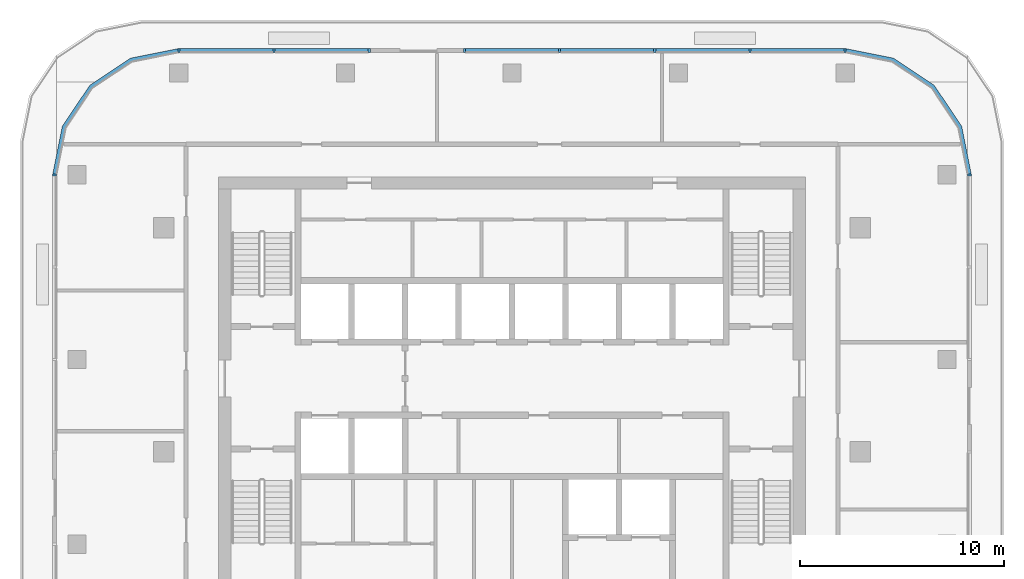
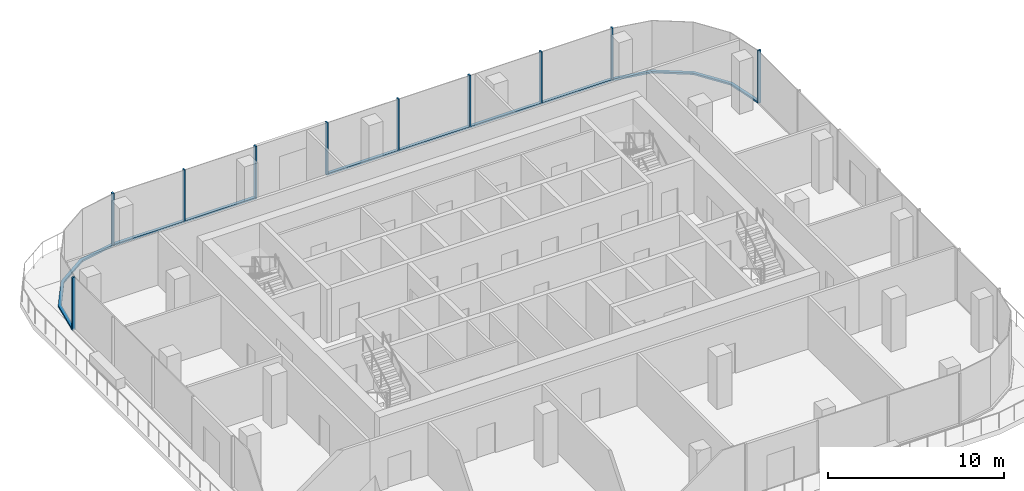
# One storey, part 4 of 12: 18 members, 6 elements without a shape of their own.
"""IFC4 building model written with IfcOpenShell, lengths in metres."""

from ifc_helpers import new_model, si_unit, direction, frame, origin, origin_2d, place, context, subcontext, project, spatial, polyline, rectangle, outline, extrude, material, material_profile, profile_set, type_object, element, aggregate, save


model = new_model("IFC4")

# Units and contexts
model_context = context("Model", 3, precision=1e-05, world=origin(), true_north=direction((0.0, 1.0)))
body_context = subcontext(model_context, "Body", "Model", "MODEL_VIEW")
ifc_project = project(units=[si_unit("LENGTHUNIT", "METRE"), si_unit("AREAUNIT", "SQUARE_METRE"), si_unit("VOLUMEUNIT", "CUBIC_METRE"), si_unit("PLANEANGLEUNIT", "RADIAN"), si_unit("MASSUNIT", "GRAM", prefix="KILO")], contexts=[model_context])

# Site, building, storey
site_placement = place(None, origin())
site = spatial("IfcSite", under=ifc_project, at=site_placement, CompositionType="ELEMENT")
building_placement = place(site_placement, origin())
building = spatial("IfcBuilding", under=site, at=building_placement, Name="Mopane Tessera Tower", CompositionType="ELEMENT")
storey_placement = place(building_placement, frame((0.0, 0.0, 349.39990234375)))
storey = spatial("IfcBuildingStorey", under=building, at=storey_placement, Name="L76", CompositionType="ELEMENT", Elevation=349.39990234375)

# Curtain wall, member
ifc_material_1 = material(Name="Aluminium frame", Category="aluminium")
curtain_wall_type = type_object("IfcCurtainWallType", Name="Unitised curtain wall", PredefinedType="NOTDEFINED", material=ifc_material_1)
curtain_wall_1_placement = place(storey_placement, origin())
curtain_wall_1 = element("IfcCurtainWall", 1, at=curtain_wall_1_placement, inside=storey, type_object=curtain_wall_type, Name="e:cw:L76:E:4", PredefinedType="NOTDEFINED")
ifc_material_2 = material(Name="Aluminium frame", Category="aluminium")
ifc_material_profile_1 = material_profile(ifc_material_2, rectangle(XDim=0.10009765625, YDim=0.199951171875, at=origin_2d()))
ifc_profile_set_1 = profile_set([ifc_material_profile_1], Name="Aluminium frame")
member_type_1 = type_object("IfcMemberType", Name="Aluminium mullion 100 x 200", PredefinedType="MULLION", material=ifc_profile_set_1)
member_1_placement = place(storey_placement, frame((22.449951171875, 13.60009765625, 0.0), z_axis=(0.0, 0.0, 1.0), x_axis=(0.0, 1.0, 0.0)))
member_1 = element("IfcMember", 2, at=member_1_placement, type_object=member_type_1, Name="e:cw:L76:E:4:mu6", PredefinedType="MULLION", context=body_context, shape_type="SweptSolid", body=[
    extrude(rectangle(XDim=0.10009765625, YDim=0.199951171875, at=origin_2d()), origin(), (0.0, 0.0, 1.0), 3.650146484375),
])
aggregate(curtain_wall_1, [member_1])

# Curtain wall, members
curtain_wall_2_placement = place(storey_placement, origin())
curtain_wall_2 = element("IfcCurtainWall", 3, at=curtain_wall_2_placement, inside=storey, type_object=curtain_wall_type, Name="e:cw:L76:N:0", PredefinedType="NOTDEFINED")
member_2_placement = place(storey_placement, frame((16.35009765625, 19.699951171875, 0.0), z_axis=(0.0, 0.0, 1.0), x_axis=(-1.0, 0.0, 0.0)))
member_2 = element("IfcMember", 4, at=member_2_placement, type_object=member_type_1, Name="e:cw:L76:N:0:mu0", PredefinedType="MULLION", context=body_context, shape_type="SweptSolid", body=[
    extrude(rectangle(XDim=0.10009765625, YDim=0.199951171875, at=origin_2d()), origin(), (0.0, 0.0, 1.0), 3.650146484375),
])
member_3_placement = place(storey_placement, frame((11.678466796875, 19.699951171875, 0.0), z_axis=(0.0, 0.0, 1.0), x_axis=(-1.0, 0.0, 0.0)))
member_3 = element("IfcMember", 5, at=member_3_placement, type_object=member_type_1, Name="e:cw:L76:N:0:mu1", PredefinedType="MULLION", context=body_context, shape_type="SweptSolid", body=[
    extrude(rectangle(XDim=0.10009765625, YDim=0.199951171875, at=origin_2d()), origin(), (0.0, 0.0, 1.0), 3.650146484375),
])
member_4_placement = place(storey_placement, frame((7.007080078125, 19.699951171875, 0.0), z_axis=(0.0, 0.0, 1.0), x_axis=(-1.0, 0.0, 0.0)))
member_4 = element("IfcMember", 6, at=member_4_placement, type_object=member_type_1, Name="e:cw:L76:N:0:mu2", PredefinedType="MULLION", context=body_context, shape_type="SweptSolid", body=[
    extrude(rectangle(XDim=0.10009765625, YDim=0.199951171875, at=origin_2d()), origin(), (0.0, 0.0, 1.0), 3.650146484375),
])
member_5_placement = place(storey_placement, frame((2.335693359375, 19.699951171875, 0.0), z_axis=(0.0, 0.0, 1.0), x_axis=(-1.0, 0.0, 0.0)))
member_5 = element("IfcMember", 7, at=member_5_placement, type_object=member_type_1, Name="e:cw:L76:N:0:mu3", PredefinedType="MULLION", context=body_context, shape_type="SweptSolid", body=[
    extrude(rectangle(XDim=0.10009765625, YDim=0.199951171875, at=origin_2d()), origin(), (0.0, 0.0, 1.0), 3.650146484375),
])
member_6_placement = place(storey_placement, frame((-2.335693359375, 19.699951171875, 0.0), z_axis=(0.0, 0.0, 1.0), x_axis=(-1.0, 0.0, 0.0)))
member_6 = element("IfcMember", 8, at=member_6_placement, type_object=member_type_1, Name="e:cw:L76:N:0:mu4", PredefinedType="MULLION", context=body_context, shape_type="SweptSolid", body=[
    extrude(rectangle(XDim=0.10009765625, YDim=0.199951171875, at=origin_2d()), origin(), (0.0, 0.0, 1.0), 3.650146484375),
])

curtain_wall_3_placement = place(storey_placement, origin())
curtain_wall_3 = element("IfcCurtainWall", 9, at=curtain_wall_3_placement, inside=storey, type_object=curtain_wall_type, Name="e:cw:L76:N:5", PredefinedType="NOTDEFINED")
member_7_placement = place(storey_placement, frame((-7.007080078125, 19.699951171875, 0.0), z_axis=(0.0, 0.0, 1.0), x_axis=(-1.0, 0.0, 0.0)))
member_7 = element("IfcMember", 10, at=member_7_placement, type_object=member_type_1, Name="e:cw:L76:N:5:mu5", PredefinedType="MULLION", context=body_context, shape_type="SweptSolid", body=[
    extrude(rectangle(XDim=0.10009765625, YDim=0.199951171875, at=origin_2d()), origin(), (0.0, 0.0, 1.0), 3.650146484375),
])
member_8_placement = place(storey_placement, frame((-11.678466796875, 19.699951171875, 0.0), z_axis=(0.0, 0.0, 1.0), x_axis=(-1.0, 0.0, 0.0)))
member_8 = element("IfcMember", 11, at=member_8_placement, type_object=member_type_1, Name="e:cw:L76:N:5:mu6", PredefinedType="MULLION", context=body_context, shape_type="SweptSolid", body=[
    extrude(rectangle(XDim=0.10009765625, YDim=0.199951171875, at=origin_2d()), origin(), (0.0, 0.0, 1.0), 3.650146484375),
])
member_9_placement = place(storey_placement, frame((-16.35009765625, 19.699951171875, 0.0), z_axis=(0.0, 0.0, 1.0), x_axis=(-1.0, 0.0, 0.0)))
member_9 = element("IfcMember", 12, at=member_9_placement, type_object=member_type_1, Name="e:cw:L76:N:5:mu7", PredefinedType="MULLION", context=body_context, shape_type="SweptSolid", body=[
    extrude(rectangle(XDim=0.10009765625, YDim=0.199951171875, at=origin_2d()), origin(), (0.0, 0.0, 1.0), 3.650146484375),
])

# Curtain wall, member
curtain_wall_4_placement = place(storey_placement, origin())
curtain_wall_4 = element("IfcCurtainWall", 13, at=curtain_wall_4_placement, inside=storey, type_object=curtain_wall_type, Name="e:cw:L76:W:0", PredefinedType="NOTDEFINED")
member_10_placement = place(storey_placement, frame((-22.449951171875, 13.60009765625, 0.0), z_axis=(0.0, 0.0, 1.0), x_axis=(0.0, -1.0, 0.0)))
member_10 = element("IfcMember", 14, at=member_10_placement, type_object=member_type_1, Name="e:cw:L76:W:0:mu0", PredefinedType="MULLION", context=body_context, shape_type="SweptSolid", body=[
    extrude(rectangle(XDim=0.10009765625, YDim=0.199951171875, at=origin_2d()), origin(), (0.0, 0.0, 1.0), 3.650146484375),
])
aggregate(curtain_wall_4, [member_10])

curtain_wall_5_placement = place(storey_placement, origin())
curtain_wall_5 = element("IfcCurtainWall", 15, at=curtain_wall_5_placement, inside=storey, type_object=curtain_wall_type, Name="e:cw:L76:CE", PredefinedType="NOTDEFINED")
ifc_material_3 = material(Name="Aluminium frame", Category="aluminium")
ifc_material_profile_2 = material_profile(ifc_material_3, rectangle(XDim=0.199951171875, YDim=0.1201171875, at=origin_2d()))
ifc_profile_set_2 = profile_set([ifc_material_profile_2], Name="Aluminium frame")
member_type_2 = type_object("IfcMemberType", Name="Aluminium transom 200 x 120", PredefinedType="USERDEFINED", material=ifc_profile_set_2)
member_11_placement = place(storey_placement, origin())
member_11 = element("IfcMember", 16, at=member_11_placement, type_object=member_type_2, Name="e:cw:L76:CE:tr", ObjectType="TRANSOM", PredefinedType="USERDEFINED", context=body_context, shape_type="SweptSolid", body=[
    extrude(outline(polyline([(22.35009765625, 13.60009765625), (21.893310546875, 15.89599609375), (20.592529296875, 17.842529296875), (18.64599609375, 19.143310546875), (16.35009765625, 19.60009765625), (16.35009765625, 19.800048828125), (18.72265625, 19.328125), (20.734130859375, 17.984130859375), (22.078125, 15.97265625), (22.550048828125, 13.60009765625), (22.35009765625, 13.60009765625)])), origin(), (0.0, 0.0, 1.0), 0.1201171875),
])
aggregate(curtain_wall_5, [member_11])

# Member
member_12_placement = place(storey_placement, frame((16.300048828125, 19.699951171875, 0.06005859375), z_axis=(-1.0, 0.0, 0.0), x_axis=(0.0, -1.0, 0.0)))
member_12 = element("IfcMember", 17, at=member_12_placement, type_object=member_type_2, Name="e:cw:L76:N:0:tr0", ObjectType="TRANSOM", PredefinedType="USERDEFINED", context=body_context, shape_type="SweptSolid", body=[
    extrude(rectangle(XDim=0.199951171875, YDim=0.1201171875, at=origin_2d()), origin(), (0.0, 0.0, 1.0), 4.571533203125),
])

member_13_placement = place(storey_placement, frame((11.628662109375, 19.699951171875, 0.06005859375), z_axis=(-1.0, 0.0, 0.0), x_axis=(0.0, -1.0, 0.0)))
member_13 = element("IfcMember", 18, at=member_13_placement, type_object=member_type_2, Name="e:cw:L76:N:0:tr1", ObjectType="TRANSOM", PredefinedType="USERDEFINED", context=body_context, shape_type="SweptSolid", body=[
    extrude(rectangle(XDim=0.199951171875, YDim=0.1201171875, at=origin_2d()), origin(), (0.0, 0.0, 1.0), 4.571533203125),
])

member_14_placement = place(storey_placement, frame((6.95703125, 19.699951171875, 0.06005859375), z_axis=(-1.0, 0.0, 0.0), x_axis=(0.0, -1.0, 0.0)))
member_14 = element("IfcMember", 19, at=member_14_placement, type_object=member_type_2, Name="e:cw:L76:N:0:tr2", ObjectType="TRANSOM", PredefinedType="USERDEFINED", context=body_context, shape_type="SweptSolid", body=[
    extrude(rectangle(XDim=0.199951171875, YDim=0.1201171875, at=origin_2d()), origin(), (0.0, 0.0, 1.0), 4.5712890625),
])

member_15_placement = place(storey_placement, frame((2.28564453125, 19.699951171875, 0.06005859375), z_axis=(-1.0, 0.0, 0.0), x_axis=(0.0, -1.0, 0.0)))
member_15 = element("IfcMember", 20, at=member_15_placement, type_object=member_type_2, Name="e:cw:L76:N:0:tr3", ObjectType="TRANSOM", PredefinedType="USERDEFINED", context=body_context, shape_type="SweptSolid", body=[
    extrude(rectangle(XDim=0.199951171875, YDim=0.1201171875, at=origin_2d()), origin(), (0.0, 0.0, 1.0), 4.5712890625),
])

aggregate(curtain_wall_2, [member_2, member_3, member_4, member_5, member_6, member_12, member_13, member_14, member_15])

member_16_placement = place(storey_placement, frame((-7.05712890625, 19.699951171875, 0.06005859375), z_axis=(-1.0, 0.0, 0.0), x_axis=(0.0, -1.0, 0.0)))
member_16 = element("IfcMember", 21, at=member_16_placement, type_object=member_type_2, Name="e:cw:L76:N:5:tr5", ObjectType="TRANSOM", PredefinedType="USERDEFINED", context=body_context, shape_type="SweptSolid", body=[
    extrude(rectangle(XDim=0.199951171875, YDim=0.1201171875, at=origin_2d()), origin(), (0.0, 0.0, 1.0), 4.571533203125),
])

member_17_placement = place(storey_placement, frame((-11.728515625, 19.699951171875, 0.06005859375), z_axis=(-1.0, 0.0, 0.0), x_axis=(0.0, -1.0, 0.0)))
member_17 = element("IfcMember", 22, at=member_17_placement, type_object=member_type_2, Name="e:cw:L76:N:5:tr6", ObjectType="TRANSOM", PredefinedType="USERDEFINED", context=body_context, shape_type="SweptSolid", body=[
    extrude(rectangle(XDim=0.199951171875, YDim=0.1201171875, at=origin_2d()), origin(), (0.0, 0.0, 1.0), 4.571533203125),
])

aggregate(curtain_wall_3, [member_7, member_8, member_9, member_16, member_17])

# Curtain wall, member
curtain_wall_6_placement = place(storey_placement, origin())
curtain_wall_6 = element("IfcCurtainWall", 23, at=curtain_wall_6_placement, inside=storey, type_object=curtain_wall_type, Name="e:cw:L76:CN", PredefinedType="NOTDEFINED")
member_18_placement = place(storey_placement, origin())
member_18 = element("IfcMember", 24, at=member_18_placement, type_object=member_type_2, Name="e:cw:L76:CN:tr", ObjectType="TRANSOM", PredefinedType="USERDEFINED", context=body_context, shape_type="SweptSolid", body=[
    extrude(outline(polyline([(-16.35009765625, 19.60009765625), (-18.64599609375, 19.143310546875), (-20.592529296875, 17.842529296875), (-21.893310546875, 15.89599609375), (-22.35009765625, 13.60009765625), (-22.550048828125, 13.60009765625), (-22.078125, 15.97265625), (-20.734130859375, 17.984130859375), (-18.72265625, 19.328125), (-16.35009765625, 19.800048828125), (-16.35009765625, 19.60009765625)])), origin(), (0.0, 0.0, 1.0), 0.1201171875),
])
aggregate(curtain_wall_6, [member_18])

save(model, "model.ifc")
